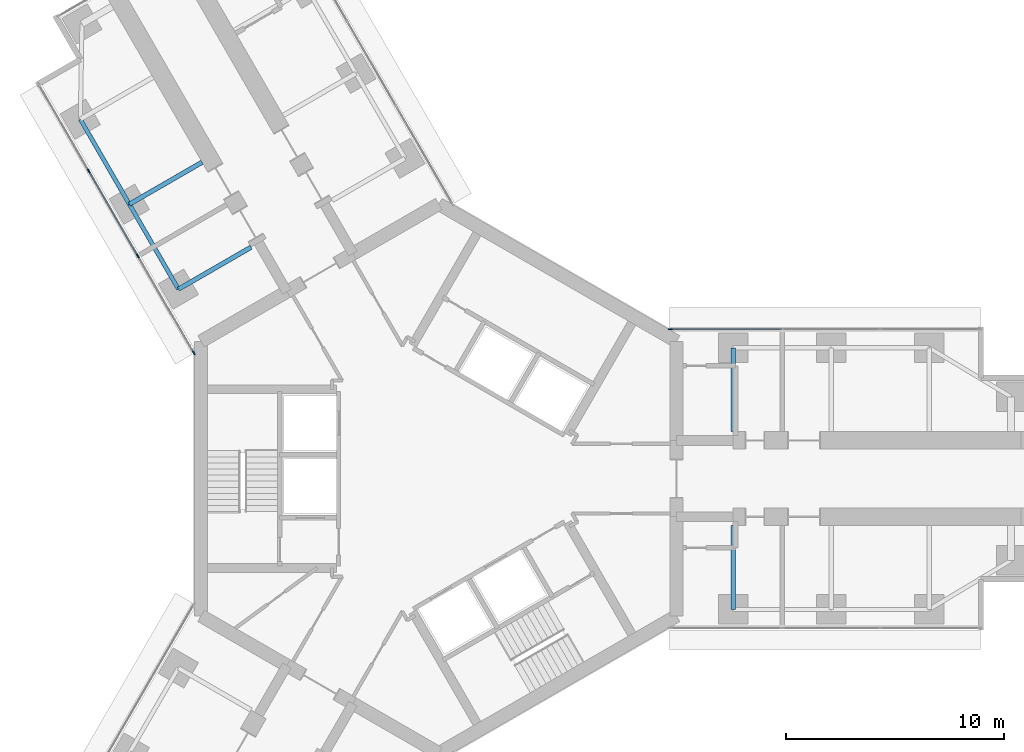
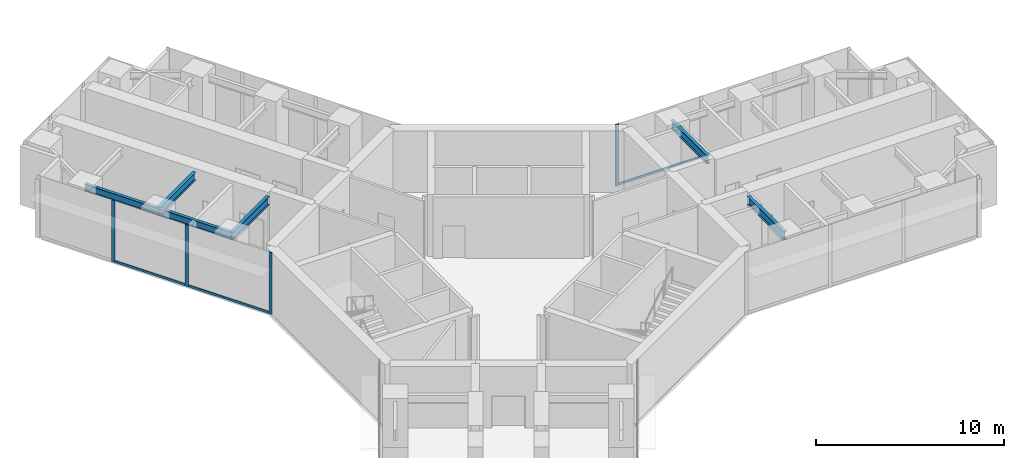
# One storey, part 5 of 21: 7 members, 6 beams, 2 elements without a shape of their own.
"""IFC4 building model written with IfcOpenShell, lengths in metres."""

from ifc_helpers import new_model, si_unit, direction, frame, origin, origin_2d, place, context, subcontext, project, spatial, rectangle, i_section, extrude, material, material_profile, profile_set, type_object, element, aggregate, save


model = new_model("IFC4")

# Units and contexts
model_context = context("Model", 3, precision=1e-05, world=origin(), true_north=direction((0.0, 1.0)))
body_context = subcontext(model_context, "Body", "Model", "MODEL_VIEW")
ifc_project = project(units=[si_unit("LENGTHUNIT", "METRE"), si_unit("AREAUNIT", "SQUARE_METRE"), si_unit("VOLUMEUNIT", "CUBIC_METRE"), si_unit("PLANEANGLEUNIT", "RADIAN"), si_unit("MASSUNIT", "GRAM", prefix="KILO")], contexts=[model_context])

# Site, building, storey
site_placement = place(None, origin())
site = spatial("IfcSite", under=ifc_project, at=site_placement, CompositionType="ELEMENT")
building_placement = place(site_placement, origin())
building = spatial("IfcBuilding", under=site, at=building_placement, Name="Upepo Twin Towers", CompositionType="ELEMENT")
storey_placement = place(building_placement, frame((0.0, 0.0, 105.5)))
storey = spatial("IfcBuildingStorey", under=building, at=storey_placement, Name="L25", CompositionType="ELEMENT", Elevation=105.5)

# Beams
ifc_material_1 = material(Name="Steel S355", Category="steel")
ifc_material_profile_1 = material_profile(ifc_material_1, i_section(OverallWidth=0.1904296875, OverallDepth=0.45703125, WebThickness=0.009033203125, FlangeThickness=0.014404296875, FilletRadius=0.01025390625, at=origin_2d()), Name="UB 457x191x74")
ifc_profile_set_1 = profile_set([ifc_material_profile_1], Name="Steel S355")
beam_type_1 = type_object("IfcBeamType", Name="Beam UB 457x191x74", PredefinedType="BEAM", material=ifc_profile_set_1)
beam_1_placement = place(storey_placement, frame((-11.946044921875, 8.69140625, 3.571533203125), z_axis=(-0.500013631625, 0.866017533419, 0.0), x_axis=(-0.866017533419, -0.500013631625, 0.0)))
element("IfcBeam", 1, at=beam_1_placement, inside=storey, type_object=beam_type_1, Name="T1 edge beam BL 13.5-18.0", PredefinedType="BEAM", context=body_context, shape_type="SweptSolid", body=[
    extrude(i_section(OverallWidth=0.1904296875, OverallDepth=0.45703125, WebThickness=0.009033203125, FlangeThickness=0.014404296875, FilletRadius=0.01025390625, at=origin_2d()), origin(), (0.0, 0.0, 1.0), 4.499755859375),
])
beam_2_placement = place(storey_placement, frame((-14.196044921875, 12.58837890625, 3.571533203125), z_axis=(-0.499990139034, 0.866031096941, 0.0), x_axis=(-0.866031096941, -0.499990139034, 0.0)))
element("IfcBeam", 2, at=beam_2_placement, inside=storey, type_object=beam_type_1, Name="T1 edge beam BL 18.0-22.5", PredefinedType="BEAM", context=body_context, shape_type="SweptSolid", body=[
    extrude(i_section(OverallWidth=0.1904296875, OverallDepth=0.45703125, WebThickness=0.009033203125, FlangeThickness=0.014404296875, FilletRadius=0.01025390625, at=origin_2d()), origin(), (0.0, 0.0, 1.0), 4.5),
])
ifc_material_2 = material(Name="Steel S355", Category="steel")
ifc_material_profile_2 = material_profile(ifc_material_2, i_section(OverallWidth=0.209228515625, OverallDepth=0.533203125, WebThickness=0.010009765625, FlangeThickness=0.015625, FilletRadius=0.0126953125, at=origin_2d()), Name="UB 533x210x92")
ifc_profile_set_2 = profile_set([ifc_material_profile_2], Name="Steel S355")
beam_type_2 = type_object("IfcBeamType", Name="Beam UB 533x210x92", PredefinedType="BEAM", material=ifc_profile_set_2)
for number, where, z_axis, x_axis, name in (
    (3, (13.5, 6.0, 3.533447265625), (0.0, -1.0, 0.0), (1.0, 0.0, 0.0), "T1 girder AL at 13.5"),
    (4, (13.5, -6.0, 3.533447265625), (0.0, 1.0, 0.0), (-1.0, 0.0, 0.0), "T1 girder AR at 13.5"),
):
    element("IfcBeam", number, at=place(storey_placement, frame(where, z_axis=z_axis, x_axis=x_axis)), inside=storey, type_object=beam_type_2, Name=name, PredefinedType="BEAM", context=body_context, shape_type="SweptSolid", body=[
        extrude(i_section(OverallWidth=0.209228515625, OverallDepth=0.533203125, WebThickness=0.010009765625, FlangeThickness=0.015625, FilletRadius=0.0126953125, at=origin_2d()), origin(), (0.0, 0.0, 1.0), 3.85009765625),
    ])
for number, where, z_axis, x_axis, name in (
    (5, (-11.946044921875, 8.69140625, 3.533447265625), (0.866006051527, 0.500033517596, 0.0), (-0.500033517596, 0.866006051527, 0.0), "T1 girder BL at 13.5"),
    (6, (-14.196044921875, 12.58837890625, 3.533447265625), (0.866006051527, 0.500033517596, 0.0), (-0.500033517596, 0.866006051527, 0.0), "T1 girder BL at 18.0"),
):
    element("IfcBeam", number, at=place(storey_placement, frame(where, z_axis=z_axis, x_axis=x_axis)), inside=storey, type_object=beam_type_2, Name=name, PredefinedType="BEAM", context=body_context, shape_type="SweptSolid", body=[
        extrude(i_section(OverallWidth=0.209228515625, OverallDepth=0.533203125, WebThickness=0.010009765625, FlangeThickness=0.015625, FilletRadius=0.0126953125, at=origin_2d()), origin(), (0.0, 0.0, 1.0), 3.849853515625),
    ])

# Curtain wall, member
ifc_material_3 = material(Name="Aluminium and fritted glass", Category="aluminium")
curtain_wall_type = type_object("IfcCurtainWallType", Name="Tower curtain wall TW2, fritted glass", PredefinedType="NOTDEFINED", material=ifc_material_3)
curtain_wall_1_placement = place(storey_placement, origin())
curtain_wall_1 = element("IfcCurtainWall", 7, at=curtain_wall_1_placement, inside=storey, type_object=curtain_wall_type, Name="T1 L25 wing A flank L curtain wall", PredefinedType="NOTDEFINED")
ifc_material_4 = material(Name="Aluminium mullion", Category="aluminium")
ifc_material_profile_3 = material_profile(ifc_material_4, rectangle(XDim=0.06494140625, YDim=0.199951171875, at=origin_2d()), Name="MULLION 65x200")
ifc_profile_set_3 = profile_set([ifc_material_profile_3], Name="Aluminium mullion")
member_type_1 = type_object("IfcMemberType", Name="Mullion 65x200 TW2", PredefinedType="MULLION", material=ifc_profile_set_3)
member_1_placement = place(storey_placement, frame((10.61962890625, 6.85009765625, 0.0), z_axis=(0.0, 0.0, 1.0), x_axis=(0.0, 1.0, 0.0)))
member_1 = element("IfcMember", 8, at=member_1_placement, type_object=member_type_1, Name="T1 L25 wing A flank L curtain wall mullion 1", PredefinedType="MULLION", context=body_context, shape_type="SweptSolid", body=[
    extrude(rectangle(XDim=0.06494140625, YDim=0.199951171875, at=origin_2d()), origin(), (0.0, 0.0, 1.0), 4.0),
])

# Curtain wall, members
curtain_wall_2_placement = place(storey_placement, origin())
curtain_wall_2 = element("IfcCurtainWall", 9, at=curtain_wall_2_placement, inside=storey, type_object=curtain_wall_type, Name="T1 L25 wing B flank L curtain wall", PredefinedType="NOTDEFINED")
member_2_placement = place(storey_placement, frame((-11.2421875, 5.77197265625, 0.0), z_axis=(0.0, 0.0, 1.0), x_axis=(-0.866025397833, -0.500000010308, 0.0)))
member_2 = element("IfcMember", 10, at=member_2_placement, type_object=member_type_1, Name="T1 L25 wing B flank L curtain wall mullion 1", PredefinedType="MULLION", context=body_context, shape_type="SweptSolid", body=[
    extrude(rectangle(XDim=0.06494140625, YDim=0.199951171875, at=origin_2d()), origin(), (0.0, 0.0, 1.0), 4.0),
])
member_3_placement = place(storey_placement, frame((-13.807373046875, 10.21484375, 0.0), z_axis=(0.0, 0.0, 1.0), x_axis=(-0.866025397833, -0.500000010308, 0.0)))
member_3 = element("IfcMember", 11, at=member_3_placement, type_object=member_type_1, Name="T1 L25 wing B flank L curtain wall mullion 2", PredefinedType="MULLION", context=body_context, shape_type="SweptSolid", body=[
    extrude(rectangle(XDim=0.06494140625, YDim=0.199951171875, at=origin_2d()), origin(), (0.0, 0.0, 1.0), 4.0),
])
member_4_placement = place(storey_placement, frame((-16.057373046875, 14.112060546875, 0.0), z_axis=(0.0, 0.0, 1.0), x_axis=(-0.866025397833, -0.500000010308, 0.0)))
member_4 = element("IfcMember", 12, at=member_4_placement, type_object=member_type_1, Name="T1 L25 wing B flank L curtain wall mullion 3", PredefinedType="MULLION", context=body_context, shape_type="SweptSolid", body=[
    extrude(rectangle(XDim=0.06494140625, YDim=0.199951171875, at=origin_2d()), origin(), (0.0, 0.0, 1.0), 4.0),
])

# Member
ifc_material_5 = material(Name="Aluminium transom", Category="aluminium")
ifc_material_profile_4 = material_profile(ifc_material_5, rectangle(XDim=0.06494140625, YDim=0.14990234375, at=origin_2d()), Name="TRANSOM 65x150")
ifc_profile_set_4 = profile_set([ifc_material_profile_4], Name="Aluminium transom")
member_type_2 = type_object("IfcMemberType", Name="Transom 65x150 TW2", PredefinedType="USERDEFINED", material=ifc_profile_set_4)
member_5_placement = place(storey_placement, frame((10.652099609375, 6.85009765625, 0.074951171875), z_axis=(1.0, 0.0, 0.0), x_axis=(0.0, 1.0, 0.0)))
member_5 = element("IfcMember", 13, at=member_5_placement, type_object=member_type_2, Name="T1 L25 wing A flank L curtain wall transom 1", ObjectType="TRANSOM", PredefinedType="USERDEFINED", context=body_context, shape_type="SweptSolid", body=[
    extrude(rectangle(XDim=0.06494140625, YDim=0.14990234375, at=origin_2d()), origin(), (0.0, 0.0, 1.0), 5.0654296875),
])

aggregate(curtain_wall_1, [member_1, member_5])

member_6_placement = place(storey_placement, frame((-11.25830078125, 5.800048828125, 0.074951171875), z_axis=(-0.500006158363, 0.866021848223, 0.0), x_axis=(-0.866021848223, -0.500006158363, 0.0)))
member_6 = element("IfcMember", 14, at=member_6_placement, type_object=member_type_2, Name="T1 L25 wing B flank L curtain wall transom 1", ObjectType="TRANSOM", PredefinedType="USERDEFINED", context=body_context, shape_type="SweptSolid", body=[
    extrude(rectangle(XDim=0.06494140625, YDim=0.14990234375, at=origin_2d()), origin(), (0.0, 0.0, 1.0), 5.0654296875),
])

member_7_placement = place(storey_placement, frame((-13.823486328125, 10.2431640625, 0.074951171875), z_axis=(-0.500005184116, 0.866022410713, 0.0), x_axis=(-0.866022410713, -0.500005184116, 0.0)))
member_7 = element("IfcMember", 15, at=member_7_placement, type_object=member_type_2, Name="T1 L25 wing B flank L curtain wall transom 2", ObjectType="TRANSOM", PredefinedType="USERDEFINED", context=body_context, shape_type="SweptSolid", body=[
    extrude(rectangle(XDim=0.06494140625, YDim=0.14990234375, at=origin_2d()), origin(), (0.0, 0.0, 1.0), 4.43505859375),
])

aggregate(curtain_wall_2, [member_2, member_3, member_4, member_6, member_7])

save(model, "model.ifc")
